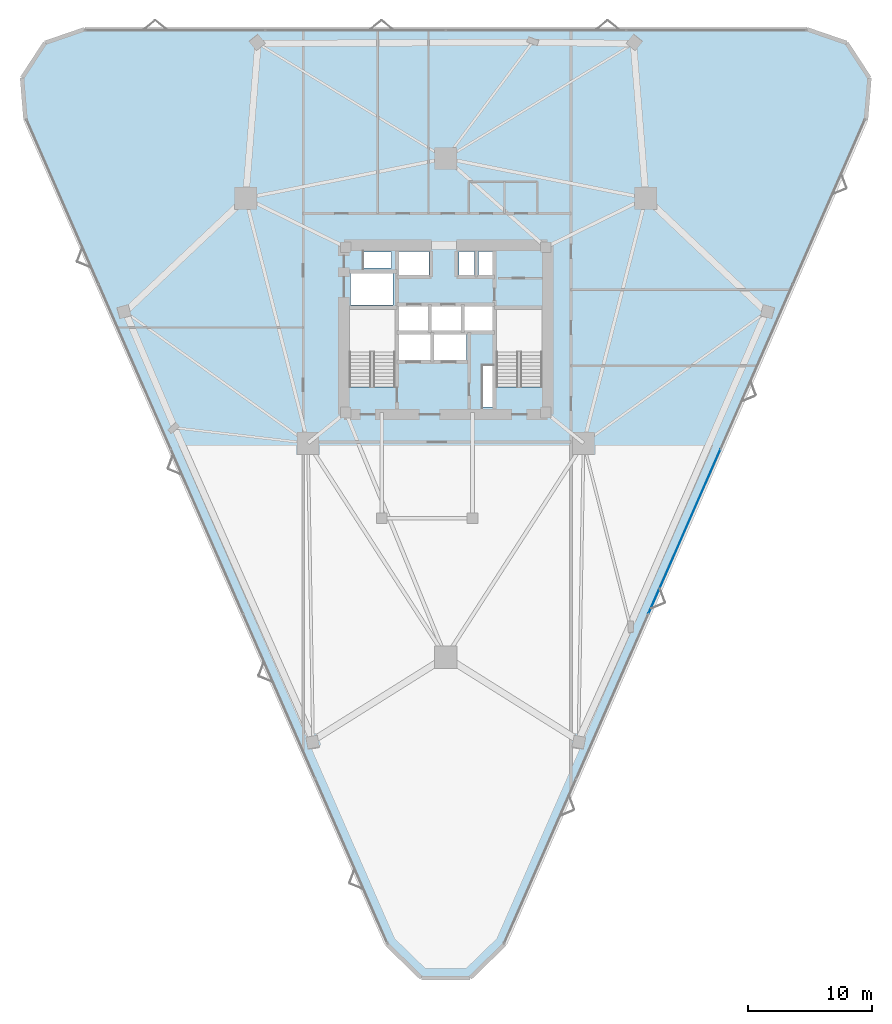
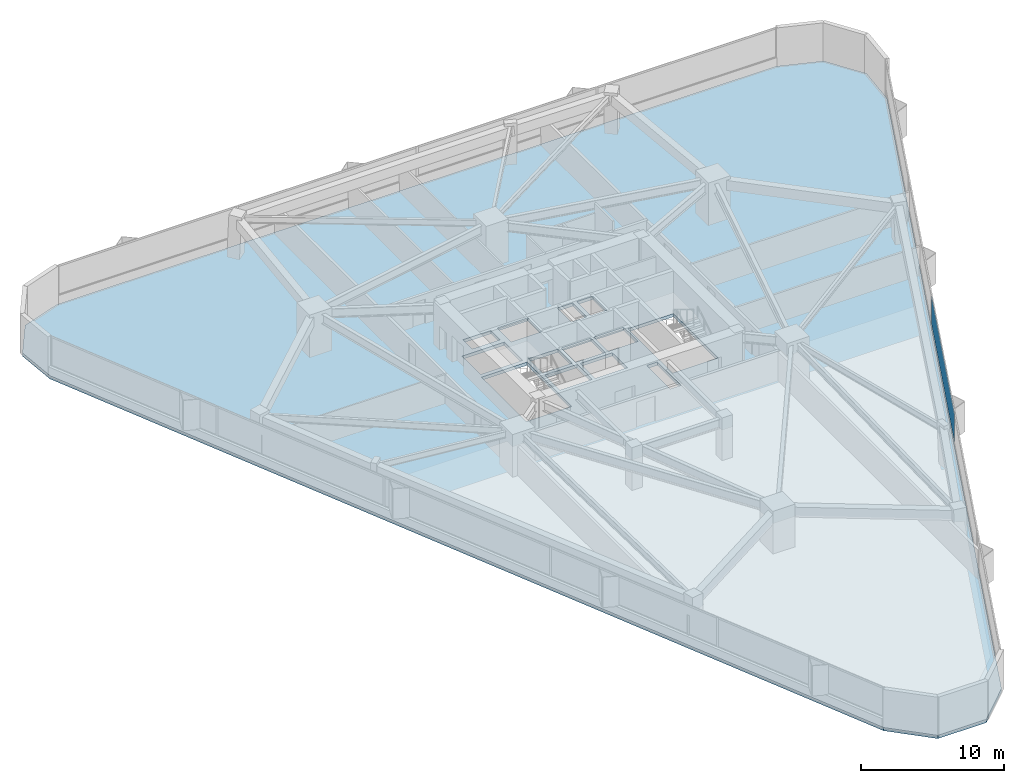
# One storey, part 15 of 21: 1 plate, 1 slab, 1 element without a shape of its own.
"""IFC4 building model written with IfcOpenShell, lengths in metres."""

from ifc_helpers import new_model, si_unit, direction, frame, origin, origin_2d, place, context, subcontext, project, spatial, polyline, rectangle, outline, extrude, material, layer, layer_set, type_object, element, aggregate, save


model = new_model("IFC4")

# Units and contexts
model_context = context("Model", 3, precision=1e-05, world=origin(), true_north=direction((0.0, 1.0)))
body_context = subcontext(model_context, "Body", "Model", "MODEL_VIEW")
ifc_project = project(units=[si_unit("LENGTHUNIT", "METRE"), si_unit("AREAUNIT", "SQUARE_METRE"), si_unit("VOLUMEUNIT", "CUBIC_METRE"), si_unit("PLANEANGLEUNIT", "RADIAN"), si_unit("MASSUNIT", "GRAM", prefix="KILO")], contexts=[model_context])

# Site, building, storey
site_placement = place(None, origin())
site = spatial("IfcSite", under=ifc_project, at=site_placement, CompositionType="ELEMENT")
building_placement = place(site_placement, origin())
building = spatial("IfcBuilding", under=site, at=building_placement, Name="Talyreon Biosciences Tower", CompositionType="ELEMENT")
storey_placement = place(building_placement, frame((0.0, 0.0, 33.75)))
storey = spatial("IfcBuildingStorey", under=building, at=storey_placement, Name="L08", CompositionType="ELEMENT", Elevation=33.75)

# Curtain wall, plate
ifc_material_1 = material(Name="Thermally broken aluminium and low-E glazing", Category="aluminium")
ifc_layer_1 = layer(ifc_material_1, 0.195068359375)
ifc_layer_set_1 = layer_set([ifc_layer_1], Name="Thermally broken aluminium and low-E glazing")
curtain_wall_type = type_object("IfcCurtainWallType", Name="CurtainWall_Zone1WetLab", PredefinedType="NOTDEFINED", material=ifc_layer_set_1)
curtain_wall_placement = place(storey_placement, origin())
curtain_wall = element("IfcCurtainWall", 1, at=curtain_wall_placement, inside=storey, type_object=curtain_wall_type, Name="L08 Unitised Curtain Wall FCW-L08-08", PredefinedType="NOTDEFINED")
ifc_material_2 = material(Name="Triple-silver low-E insulated glazing", Category="glass")
ifc_layer_2 = layer(ifc_material_2, 0.031982421875)
ifc_layer_set_2 = layer_set([ifc_layer_2], Name="Triple-silver low-E insulated glazing")
plate_type = type_object("IfcPlateType", Name="CWGlazingPanel_32", PredefinedType="CURTAIN_PANEL", material=ifc_layer_set_2)
plate_placement = place(storey_placement, frame((85.212890625, 51.777587890625, 0.875), z_axis=(0.0, 0.0, 1.0), x_axis=(-0.401222995321, -0.915980408101, 0.0)))
plate = element("IfcPlate", 2, at=plate_placement, type_object=plate_type, Name="CW2 panel 3.1", PredefinedType="CURTAIN_PANEL", context=body_context, shape_type="SweptSolid", body=[
    extrude(rectangle(XDim=14.413818359375, YDim=0.031982421875, at=origin_2d()), origin(), (0.0, 0.0, 1.0), 2.43505859375),
])
aggregate(curtain_wall, [plate])

# Slab
ifc_material_3 = material(Name="Concrete C40/50", Category="concrete")
ifc_layer_3 = layer(ifc_material_3, 0.27490234375)
ifc_layer_set_3 = layer_set([ifc_layer_3], Name="Concrete C40/50")
slab_type = type_object("IfcSlabType", Name="WetLabFloorSlab_275", PredefinedType="FLOOR", material=ifc_layer_set_3)
slab_placement = place(storey_placement, frame((0.0, 0.0, -0.27490234375)))
element("IfcSlab", 3, at=slab_placement, inside=storey, type_object=slab_type, Name="L08 Structural Floor Slab", PredefinedType="FLOOR", context=body_context, shape_type="SweptSolid", body=[
    extrude(outline(polyline([(61.23681640625, 18.589599609375), (32.19091796875, 84.901123046875), (31.913330078125, 88.265625), (33.760498046875, 91.091552734375), (36.953857421875, 92.1875), (95.046142578125, 92.1875), (98.239501953125, 91.091552734375), (100.086669921875, 88.265625), (99.80908203125, 84.901123046875), (70.76318359375, 18.589599609375), (67.95751953125, 15.858642578125), (64.04248046875, 15.858642578125), (61.23681640625, 18.589599609375)]), holes=[polyline([(61.929931640625, 69.64990234375), (61.929931640625, 63.407958984375), (58.25, 63.407958984375), (58.25, 69.64990234375), (61.929931640625, 69.64990234375)]), polyline([(64.800048828125, 65.550048828125), (62.199951171875, 65.550048828125), (62.199951171875, 67.64990234375), (64.800048828125, 67.64990234375), (64.800048828125, 65.550048828125)]), polyline([(64.60009765625, 67.949951171875), (62.199951171875, 67.949951171875), (62.199951171875, 69.949951171875), (64.60009765625, 69.949951171875), (64.60009765625, 67.949951171875)]), polyline([(67.25, 69.949951171875), (67.25, 67.949951171875), (64.85009765625, 67.949951171875), (64.85009765625, 69.949951171875), (67.25, 69.949951171875)]), polyline([(61.75, 69.97998046875), (58.35009765625, 69.97998046875), (58.35009765625, 72.550048828125), (61.75, 72.550048828125), (61.75, 69.97998046875)]), polyline([(64.64990234375, 72.35009765625), (62.199951171875, 72.35009765625), (62.199951171875, 74.300048828125), (64.64990234375, 74.300048828125), (64.64990234375, 72.35009765625)]), polyline([(61.64990234375, 74.25), (61.64990234375, 72.9599609375), (59.39990234375, 72.9599609375), (59.39990234375, 74.25), (61.64990234375, 74.25)]), polyline([(69.820068359375, 61.800048828125), (68.9599609375, 61.800048828125), (68.9599609375, 65.10009765625), (69.820068359375, 65.10009765625), (69.820068359375, 61.800048828125)]), polyline([(73.75, 63.407958984375), (70.070068359375, 63.407958984375), (70.070068359375, 69.64990234375), (73.75, 69.64990234375), (73.75, 63.407958984375)]), polyline([(67.64990234375, 65.550048828125), (65.050048828125, 65.550048828125), (65.050048828125, 67.64990234375), (67.64990234375, 67.64990234375), (67.64990234375, 65.550048828125)]), polyline([(69.89990234375, 67.949951171875), (67.5, 67.949951171875), (67.5, 69.949951171875), (69.89990234375, 69.949951171875), (69.89990234375, 67.949951171875)]), polyline([(68.300048828125, 72.35009765625), (67.050048828125, 72.35009765625), (67.050048828125, 74.300048828125), (68.300048828125, 74.300048828125), (68.300048828125, 72.35009765625)]), polyline([(69.919921875, 72.35009765625), (68.6201171875, 72.35009765625), (68.6201171875, 74.300048828125), (69.919921875, 74.300048828125), (69.919921875, 72.35009765625)])]), origin(), (0.0, 0.0, 1.0), 0.27490234375),
])

save(model, "model.ifc")
